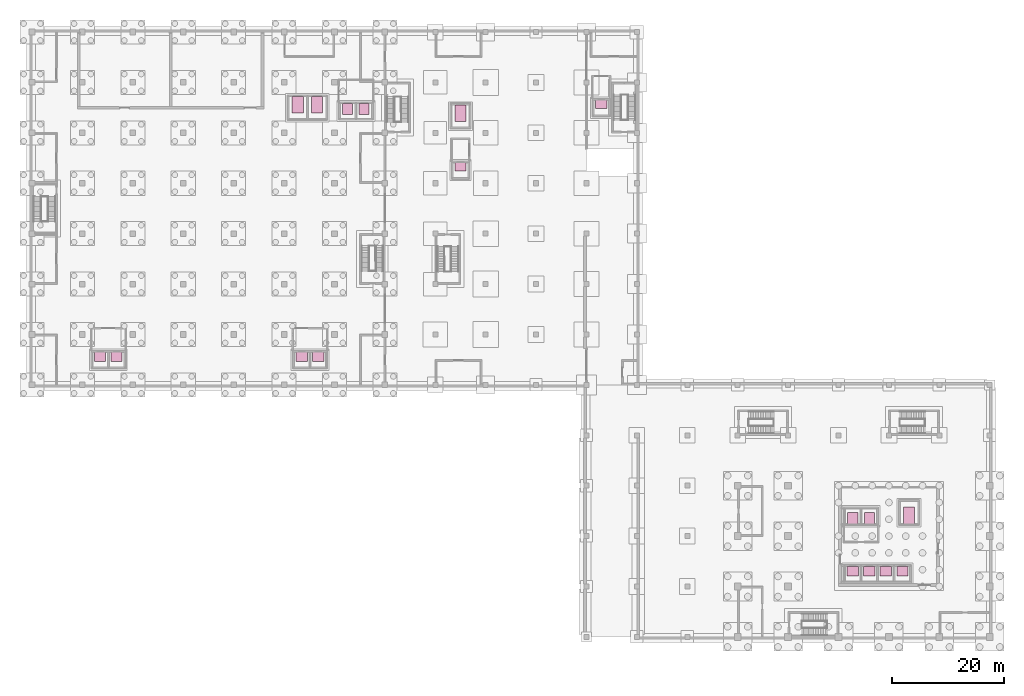
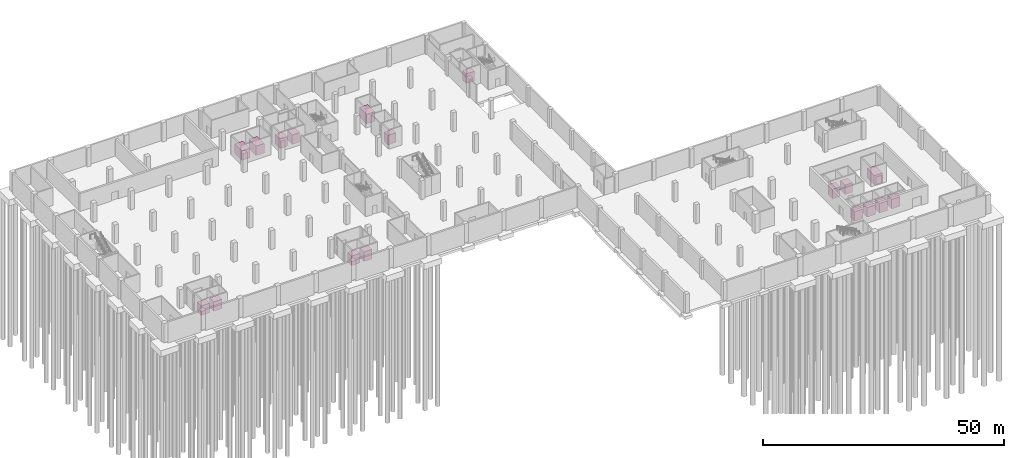
# One storey, part 17 of 17: 18 transport elements.
"""IFC4 building model written with IfcOpenShell, lengths in metres."""

from ifc_helpers import new_model, si_unit, direction, frame, origin, origin_2d, place, context, subcontext, project, spatial, rectangle, extrude, material, type_object, element, save


model = new_model("IFC4")

# Units and contexts
model_context = context("Model", 3, precision=1e-05, world=origin(), true_north=direction((0.0, 1.0)))
body_context = subcontext(model_context, "Body", "Model", "MODEL_VIEW")
ifc_project = project(units=[si_unit("LENGTHUNIT", "METRE"), si_unit("AREAUNIT", "SQUARE_METRE"), si_unit("VOLUMEUNIT", "CUBIC_METRE"), si_unit("PLANEANGLEUNIT", "RADIAN"), si_unit("MASSUNIT", "GRAM", prefix="KILO")], contexts=[model_context])

# Site, building, storey
site_placement = place(None, origin())
site = spatial("IfcSite", under=ifc_project, at=site_placement, CompositionType="ELEMENT")
building_placement = place(site_placement, origin())
building = spatial("IfcBuilding", under=site, at=building_placement, Name="Guidao Yard Department Store", CompositionType="ELEMENT")
storey_placement = place(building_placement, frame((0.0, 0.0, -9.89990234375)))
storey = spatial("IfcBuildingStorey", under=building, at=storey_placement, Name="B2", CompositionType="ELEMENT", Elevation=-9.89990234375)

# Transport elements
ifc_material_1 = material(Name="Stainless steel 06Cr19Ni10", Category="steel")
transport_element_type_1 = type_object("IfcTransportElementType", Name="Lift fire-fighting passenger 1600 kg", PredefinedType="ELEVATOR", material=ifc_material_1)
for number, where, z_axis, x_axis, name in (
    (1, (56.35009765625, 94.25, 0.0), (0.0, 0.0, 1.0), (1.0, 0.0, 0.0), "Fire-fighting lift HF1"),
    (2, (59.300048828125, 94.25, 0.0), (0.0, 0.0, 1.0), (1.0, 0.0, 0.0), "Fire-fighting lift HF2"),
    (3, (146.550048828125, 21.199951171875, 0.0), (0.0, 0.0, 1.0), (1.0, 0.0, 0.0), "Fire-fighting lift OF1"),
    (4, (149.5, 21.199951171875, 0.0), (0.0, 0.0, 1.0), (1.0, 0.0, 0.0), "Fire-fighting lift OF2"),
):
    element("IfcTransportElement", number, at=place(storey_placement, frame(where, z_axis=z_axis, x_axis=x_axis)), inside=storey, type_object=transport_element_type_1, Name=name, PredefinedType="ELEVATOR", context=body_context, shape_type="SweptSolid", body=[
        extrude(rectangle(XDim=1.800048828125, YDim=2.0, at=origin_2d()), origin(), (0.0, 0.0, 1.0), 2.39990234375),
    ])
ifc_material_2 = material(Name="Stainless steel 06Cr19Ni10", Category="steel")
transport_element_type_2 = type_object("IfcTransportElementType", Name="Lift goods 3000 kg", PredefinedType="ELEVATOR", material=ifc_material_2)
for number, where, z_axis, x_axis, name in (
    (5, (76.5, 93.5, 0.0), (0.0, 0.0, 1.0), (1.0, 0.0, 0.0), "Arcade goods lift"),
    (6, (47.449951171875, 95.0, 0.0), (0.0, 0.0, 1.0), (1.0, 0.0, 0.0), "Hall goods lift 1"),
    (7, (50.89990234375, 95.0, 0.0), (0.0, 0.0, 1.0), (1.0, 0.0, 0.0), "Hall goods lift 2"),
    (8, (156.60009765625, 21.699951171875, 0.0), (0.0, 0.0, 1.0), (1.0, 0.0, 0.0), "Office service lift"),
):
    element("IfcTransportElement", number, at=place(storey_placement, frame(where, z_axis=z_axis, x_axis=x_axis)), inside=storey, type_object=transport_element_type_2, Name=name, PredefinedType="ELEVATOR", context=body_context, shape_type="SweptSolid", body=[
        extrude(rectangle(XDim=2.0, YDim=3.0, at=origin_2d()), origin(), (0.0, 0.0, 1.0), 2.39990234375),
    ])
ifc_material_3 = material(Name="Stainless steel 06Cr19Ni10", Category="steel")
transport_element_type_3 = type_object("IfcTransportElementType", Name="Lift passenger 1350 kg", PredefinedType="ELEVATOR", material=ifc_material_3)
for number, where, z_axis, x_axis, name in (
    (9, (76.5, 83.949951171875, 0.0), (0.0, 0.0, 1.0), (1.0, 0.0, 0.0), "Arcade lift 1"),
    (10, (101.64990234375, 95.10009765625, 0.0), (0.0, 0.0, 1.0), (1.0, 0.0, 0.0), "Arcade lift 2"),
):
    element("IfcTransportElement", number, at=place(storey_placement, frame(where, z_axis=z_axis, x_axis=x_axis)), inside=storey, type_object=transport_element_type_3, Name=name, PredefinedType="ELEVATOR", context=body_context, shape_type="SweptSolid", body=[
        extrude(rectangle(XDim=2.0, YDim=1.5, at=origin_2d()), origin(), (0.0, 0.0, 1.0), 2.39990234375),
    ])
ifc_material_4 = material(Name="Stainless steel 06Cr19Ni10", Category="steel")
transport_element_type_4 = type_object("IfcTransportElementType", Name="Lift passenger 1600 kg", PredefinedType="ELEVATOR", material=ifc_material_4)
for number, where, z_axis, x_axis, name in (
    (11, (12.14990234375, 50.0, 0.0), (0.0, 0.0, 1.0), (1.0, 0.0, 0.0), "Hall lift 1"),
    (12, (15.10009765625, 50.0, 0.0), (0.0, 0.0, 1.0), (1.0, 0.0, 0.0), "Hall lift 2"),
    (13, (48.14990234375, 50.0, 0.0), (0.0, 0.0, 1.0), (1.0, 0.0, 0.0), "Hall lift 3"),
    (14, (51.10009765625, 50.0, 0.0), (0.0, 0.0, 1.0), (1.0, 0.0, 0.0), "Hall lift 4"),
    (15, (146.550048828125, 11.75, 0.0), (0.0, 0.0, 1.0), (1.0, 0.0, 0.0), "Office lift 1"),
    (16, (149.5, 11.75, 0.0), (0.0, 0.0, 1.0), (1.0, 0.0, 0.0), "Office lift 2"),
    (17, (152.449951171875, 11.75, 0.0), (0.0, 0.0, 1.0), (1.0, 0.0, 0.0), "Office lift 3"),
    (18, (155.39990234375, 11.75, 0.0), (0.0, 0.0, 1.0), (1.0, 0.0, 0.0), "Office lift 4"),
):
    element("IfcTransportElement", number, at=place(storey_placement, frame(where, z_axis=z_axis, x_axis=x_axis)), inside=storey, type_object=transport_element_type_4, Name=name, PredefinedType="ELEVATOR", context=body_context, shape_type="SweptSolid", body=[
        extrude(rectangle(XDim=2.0, YDim=1.699951171875, at=origin_2d()), origin(), (0.0, 0.0, 1.0), 2.39990234375),
    ])

save(model, "model.ifc")
